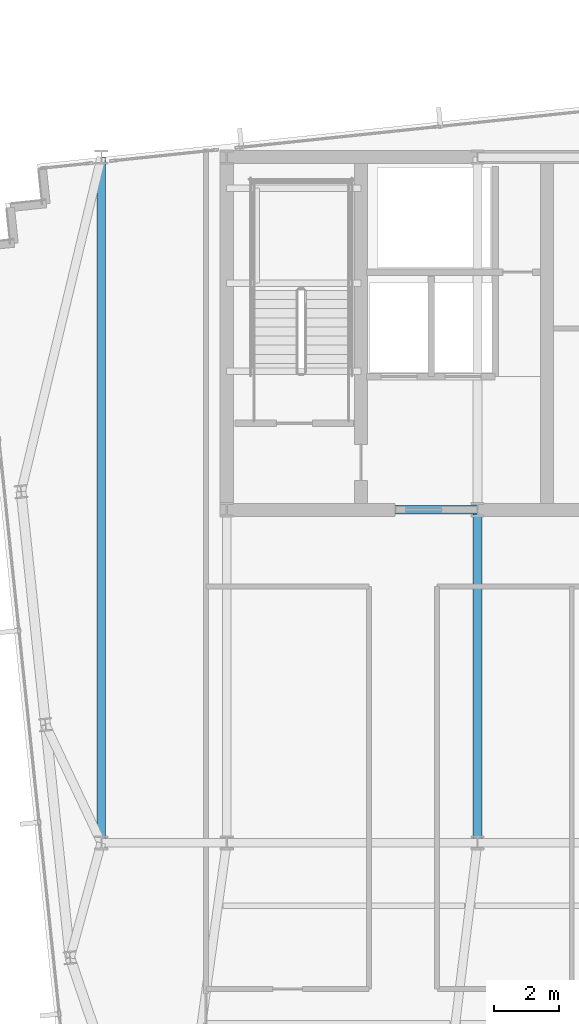
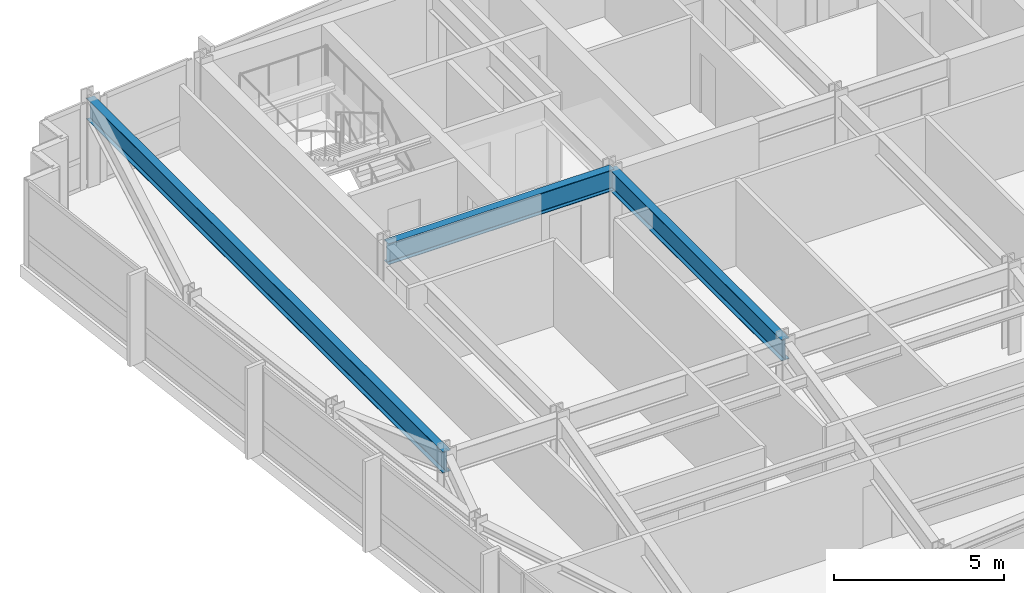
# One storey, part 7 of 26: 3 beams.
"""IFC4 building model written with IfcOpenShell, lengths in metres."""

from ifc_helpers import new_model, si_unit, direction, frame, origin, origin_2d, place, context, subcontext, project, spatial, i_section, extrude, material, material_profile, profile_set, type_object, element, save


model = new_model("IFC4")

# Units and contexts
model_context = context("Model", 3, precision=1e-05, world=origin(), true_north=direction((0.0, 1.0)))
body_context = subcontext(model_context, "Body", "Model", "MODEL_VIEW")
ifc_project = project(units=[si_unit("LENGTHUNIT", "METRE"), si_unit("AREAUNIT", "SQUARE_METRE"), si_unit("VOLUMEUNIT", "CUBIC_METRE"), si_unit("PLANEANGLEUNIT", "RADIAN"), si_unit("MASSUNIT", "GRAM", prefix="KILO")], contexts=[model_context])

# Site, building, storey
site_placement = place(None, origin())
site = spatial("IfcSite", under=ifc_project, at=site_placement, CompositionType="ELEMENT")
building_placement = place(site_placement, origin())
building = spatial("IfcBuilding", under=site, at=building_placement, Name="Yelkora Congress Tower", CompositionType="ELEMENT")
storey_placement = place(building_placement, frame((0.0, 0.0, 204.5)))
storey = spatial("IfcBuildingStorey", under=building, at=storey_placement, Name="L56", CompositionType="ELEMENT", Elevation=204.5)

# Beams
ifc_material = material(Name="Steel S355J2", Category="steel")
ifc_material_profile = material_profile(ifc_material, i_section(OverallWidth=0.26708984375, OverallDepth=0.761962890625, WebThickness=0.014404296875, FlangeThickness=0.021484375, FilletRadius=0.01708984375, at=origin_2d()), Name="IPE 750x173")
ifc_profile_set = profile_set([ifc_material_profile], Name="Steel S355J2")
beam_type = type_object("IfcBeamType", Name="BM-GIRD-IPE750", PredefinedType="BEAM", material=ifc_profile_set)
beam_1_placement = place(storey_placement, frame((23.0400390625, 35.39990234375, 2.698974609375), z_axis=(1.0, 0.0, 0.0), x_axis=(0.0, 1.0, 0.0)))
element("IfcBeam", 1, at=beam_1_placement, inside=storey, type_object=beam_type, Name="L56 Core South Girder 1", PredefinedType="BEAM", context=body_context, shape_type="SweptSolid", body=[
    extrude(i_section(OverallWidth=0.26708984375, OverallDepth=0.761962890625, WebThickness=0.014404296875, FlangeThickness=0.021484375, FilletRadius=0.01708984375, at=origin_2d()), origin(), (0.0, 0.0, 1.0), 7.679931640625),
])
beam_2_placement = place(storey_placement, frame((30.719970703125, 25.199951171875, 2.698974609375), z_axis=(0.0, 1.0, 0.0), x_axis=(-1.0, 0.0, 0.0)))
element("IfcBeam", 2, at=beam_2_placement, inside=storey, type_object=beam_type, Name="L56 Core Tie Girder MC-D2", PredefinedType="BEAM", context=body_context, shape_type="SweptSolid", body=[
    extrude(i_section(OverallWidth=0.26708984375, OverallDepth=0.761962890625, WebThickness=0.014404296875, FlangeThickness=0.021484375, FilletRadius=0.01708984375, at=origin_2d()), origin(), (0.0, 0.0, 1.0), 10.199951171875),
])
beam_3_placement = place(storey_placement, frame((19.199951171875, 25.199951171875, 2.698974609375), z_axis=(0.0, 1.0, 0.0), x_axis=(-1.0, 0.0, 0.0)))
element("IfcBeam", 3, at=beam_3_placement, inside=storey, type_object=beam_type, Name="L56 Neck Flank Girder MC-F1", PredefinedType="BEAM", context=body_context, shape_type="SweptSolid", body=[
    extrude(i_section(OverallWidth=0.26708984375, OverallDepth=0.761962890625, WebThickness=0.014404296875, FlangeThickness=0.021484375, FilletRadius=0.01708984375, at=origin_2d()), origin(), (0.0, 0.0, 1.0), 21.0),
])

save(model, "model.ifc")
